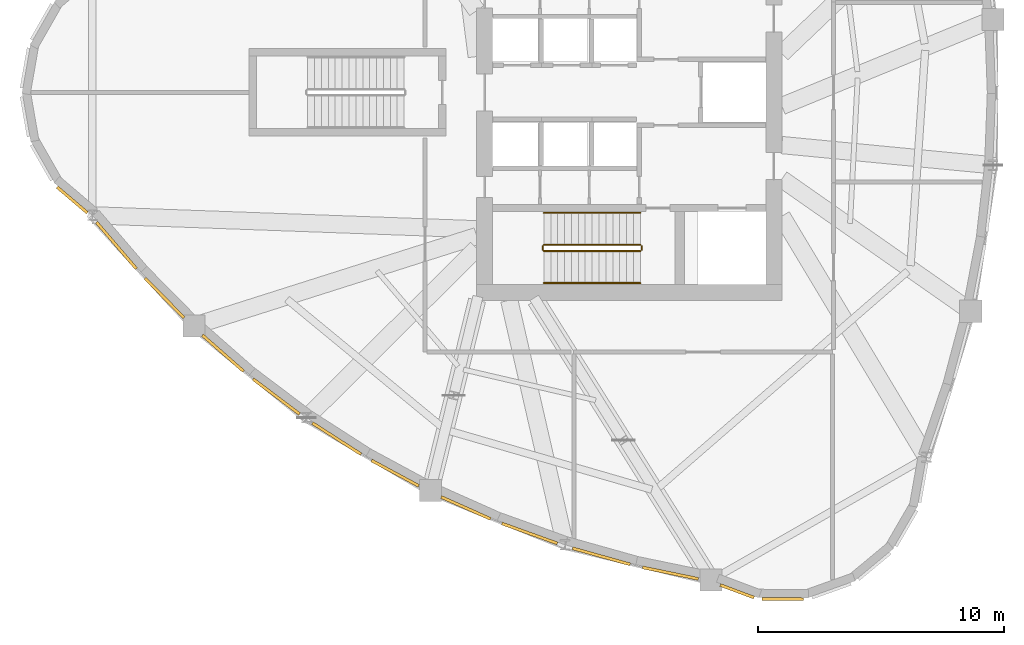
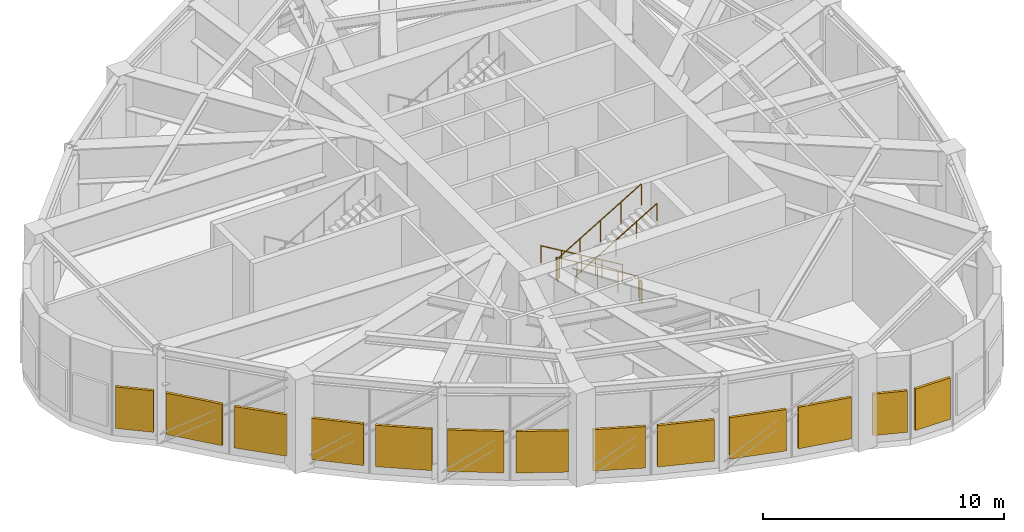
# One storey, part 7 of 9: 13 shading devices, 6 railings.
"""IFC4 building model written with IfcOpenShell, lengths in metres."""

from ifc_helpers import new_model, si_unit, direction, frame, origin, origin_2d, place, context, subcontext, project, spatial, rectangle, circle, extrude, source, transform, mapped, material, layer, layer_set, type_object, element, save


model = new_model("IFC4")

# Units and contexts
model_context = context("Model", 3, precision=1e-05, world=origin(), true_north=direction((0.0, 1.0)))
body_context = subcontext(model_context, "Body", "Model", "MODEL_VIEW")
ifc_project = project(units=[si_unit("LENGTHUNIT", "METRE"), si_unit("AREAUNIT", "SQUARE_METRE"), si_unit("VOLUMEUNIT", "CUBIC_METRE"), si_unit("PLANEANGLEUNIT", "RADIAN"), si_unit("MASSUNIT", "GRAM", prefix="KILO")], contexts=[model_context])

# Site, building, storey
site_placement = place(None, origin())
site = spatial("IfcSite", under=ifc_project, at=site_placement, CompositionType="ELEMENT")
building_placement = place(site_placement, origin())
building = spatial("IfcBuilding", under=site, at=building_placement, Name="Qafzar Sky-Pleat Residences", CompositionType="ELEMENT")
storey_placement = place(building_placement, frame((0.0, 0.0, 128.0)))
storey = spatial("IfcBuildingStorey", under=building, at=storey_placement, Name="L38", CompositionType="ELEMENT", Elevation=128.0)

# Shading devices
ifc_material_1 = material(Name="Anodised bronze aluminium acoustic louvre", Category="aluminium")
ifc_layer = layer(ifc_material_1, 0.1201171875)
ifc_layer_set = layer_set([ifc_layer], Name="Anodised bronze aluminium acoustic louvre")
shading_device_type = type_object("IfcShadingDeviceType", Name="SHD-LOUVRE-PLANT", PredefinedType="JALOUSIE", material=ifc_layer_set)
shared_shape_1 = source(origin(), body_context, "Body", "SweptSolid", [
    extrude(rectangle(XDim=1.61181640625, YDim=0.1201171875, at=origin_2d()), origin(), (0.0, 0.0, 1.0), 2.10009765625),
])
shading_device_1_placement = place(storey_placement, frame((7.7109375, 21.62841796875, 0.449951171875), z_axis=(0.0, 0.0, 1.0), x_axis=(0.761145221721, -0.648581491758, 0.0)))
element("IfcShadingDevice", 1, at=shading_device_1_placement, inside=storey, type_object=shading_device_type, Name="L38 Plant Acoustic Louvre 6", PredefinedType="JALOUSIE", context=body_context, shape_type="MappedRepresentation", body=[
    mapped(shared_shape_1, transform((0.0, 0.0, 0.0), x_axis=(1.0, 0.0, 0.0), y_axis=(0.0, 1.0, 0.0), z_axis=(0.0, 0.0, 1.0), scale=1.0)),
])
shared_shape_2 = source(origin(), body_context, "Body", "SweptSolid", [
    extrude(rectangle(XDim=2.482666015625, YDim=0.1201171875, at=origin_2d()), origin(), (0.0, 0.0, 1.0), 2.10009765625),
])
shading_device_2_placement = place(storey_placement, frame((9.509765625, 19.774658203125, 0.449951171875), z_axis=(0.0, 0.0, 1.0), x_axis=(0.650722374464, -0.75931573892, 0.0)))
element("IfcShadingDevice", 2, at=shading_device_2_placement, inside=storey, type_object=shading_device_type, Name="L38 Plant Acoustic Louvre 7", PredefinedType="JALOUSIE", context=body_context, shape_type="MappedRepresentation", body=[
    mapped(shared_shape_2, transform((0.0, 0.0, 0.0), x_axis=(1.0, 0.0, 0.0), y_axis=(0.0, 1.0, 0.0), z_axis=(0.0, 0.0, 1.0), scale=1.0)),
])
shared_shape_3 = source(origin(), body_context, "Body", "SweptSolid", [
    extrude(rectangle(XDim=2.26318359375, YDim=0.1201171875, at=origin_2d()), origin(), (0.0, 0.0, 1.0), 2.10009765625),
])
shading_device_3_placement = place(storey_placement, frame((11.46337890625, 17.64208984375, 0.449951171875), z_axis=(0.0, 0.0, 1.0), x_axis=(0.701891372787, -0.712284002914, 0.0)))
element("IfcShadingDevice", 3, at=shading_device_3_placement, inside=storey, type_object=shading_device_type, Name="L38 Plant Acoustic Louvre 8", PredefinedType="JALOUSIE", context=body_context, shape_type="MappedRepresentation", body=[
    mapped(shared_shape_3, transform((0.0, 0.0, 0.0), x_axis=(1.0, 0.0, 0.0), y_axis=(0.0, 1.0, 0.0), z_axis=(0.0, 0.0, 1.0), scale=1.0)),
])
shared_shape_4 = source(origin(), body_context, "Body", "SweptSolid", [
    extrude(rectangle(XDim=2.2236328125, YDim=0.1201171875, at=origin_2d()), origin(), (0.0, 0.0, 1.0), 2.10009765625),
])
shading_device_4_placement = place(storey_placement, frame((13.837646484375, 15.3994140625, 0.449951171875), z_axis=(0.0, 0.0, 1.0), x_axis=(0.751454581886, -0.659784822016, 0.0)))
element("IfcShadingDevice", 4, at=shading_device_4_placement, inside=storey, type_object=shading_device_type, Name="L38 Plant Acoustic Louvre 9", PredefinedType="JALOUSIE", context=body_context, shape_type="MappedRepresentation", body=[
    mapped(shared_shape_4, transform((0.0, 0.0, 0.0), x_axis=(1.0, 0.0, 0.0), y_axis=(0.0, 1.0, 0.0), z_axis=(0.0, 0.0, 1.0), scale=1.0)),
])
shared_shape_5 = source(origin(), body_context, "Body", "SweptSolid", [
    extrude(rectangle(XDim=2.364990234375, YDim=0.1201171875, at=origin_2d()), origin(), (0.0, 0.0, 1.0), 2.10009765625),
])
shading_device_5_placement = place(storey_placement, frame((16.00634765625, 13.637451171875, 0.449951171875), z_axis=(0.0, 0.0, 1.0), x_axis=(0.798349004967, -0.602195040056, 0.0)))
element("IfcShadingDevice", 5, at=shading_device_5_placement, inside=storey, type_object=shading_device_type, Name="L38 Plant Acoustic Louvre 10", PredefinedType="JALOUSIE", context=body_context, shape_type="MappedRepresentation", body=[
    mapped(shared_shape_5, transform((0.0, 0.0, 0.0), x_axis=(1.0, 0.0, 0.0), y_axis=(0.0, 1.0, 0.0), z_axis=(0.0, 0.0, 1.0), scale=1.0)),
])
shared_shape_6 = source(origin(), body_context, "Body", "SweptSolid", [
    extrude(rectangle(XDim=2.3515625, YDim=0.1201171875, at=origin_2d()), origin(), (0.0, 0.0, 1.0), 2.10009765625),
])
shading_device_6_placement = place(storey_placement, frame((18.45947265625, 11.927978515625, 0.449951171875), z_axis=(0.0, 0.0, 1.0), x_axis=(0.841488939552, -0.540274341989, 0.0)))
element("IfcShadingDevice", 6, at=shading_device_6_placement, inside=storey, type_object=shading_device_type, Name="L38 Plant Acoustic Louvre 11", PredefinedType="JALOUSIE", context=body_context, shape_type="MappedRepresentation", body=[
    mapped(shared_shape_6, transform((0.0, 0.0, 0.0), x_axis=(1.0, 0.0, 0.0), y_axis=(0.0, 1.0, 0.0), z_axis=(0.0, 0.0, 1.0), scale=1.0)),
])
shared_shape_7 = source(origin(), body_context, "Body", "SweptSolid", [
    extrude(rectangle(XDim=2.18359375, YDim=0.1201171875, at=origin_2d()), origin(), (0.0, 0.0, 1.0), 2.10009765625),
])
shading_device_7_placement = place(storey_placement, frame((20.835693359375, 10.5224609375, 0.449951171875), z_axis=(0.0, 0.0, 1.0), x_axis=(0.880071992899, -0.474840275582, 0.0)))
element("IfcShadingDevice", 7, at=shading_device_7_placement, inside=storey, type_object=shading_device_type, Name="L38 Plant Acoustic Louvre 12", PredefinedType="JALOUSIE", context=body_context, shape_type="MappedRepresentation", body=[
    mapped(shared_shape_7, transform((0.0, 0.0, 0.0), x_axis=(1.0, 0.0, 0.0), y_axis=(0.0, 1.0, 0.0), z_axis=(0.0, 0.0, 1.0), scale=1.0)),
])
shared_shape_8 = source(origin(), body_context, "Body", "SweptSolid", [
    extrude(rectangle(XDim=2.197021484375, YDim=0.1201171875, at=origin_2d()), origin(), (0.0, 0.0, 1.0), 2.10009765625),
])
shading_device_8_placement = place(storey_placement, frame((23.70703125, 9.11083984375, 0.449951171875), z_axis=(0.0, 0.0, 1.0), x_axis=(0.913398138827, -0.407067365417, 0.0)))
element("IfcShadingDevice", 8, at=shading_device_8_placement, inside=storey, type_object=shading_device_type, Name="L38 Plant Acoustic Louvre 13", PredefinedType="JALOUSIE", context=body_context, shape_type="MappedRepresentation", body=[
    mapped(shared_shape_8, transform((0.0, 0.0, 0.0), x_axis=(1.0, 0.0, 0.0), y_axis=(0.0, 1.0, 0.0), z_axis=(0.0, 0.0, 1.0), scale=1.0)),
])
shared_shape_9 = source(origin(), body_context, "Body", "SweptSolid", [
    extrude(rectangle(XDim=2.3916015625, YDim=0.1201171875, at=origin_2d()), origin(), (0.0, 0.0, 1.0), 2.10009765625),
])
shading_device_9_placement = place(storey_placement, frame((26.301513671875, 8.0732421875, 0.449951171875), z_axis=(0.0, 0.0, 1.0), x_axis=(0.94108552794, -0.338168640033, 0.0)))
element("IfcShadingDevice", 9, at=shading_device_9_placement, inside=storey, type_object=shading_device_type, Name="L38 Plant Acoustic Louvre 14", PredefinedType="JALOUSIE", context=body_context, shape_type="MappedRepresentation", body=[
    mapped(shared_shape_9, transform((0.0, 0.0, 0.0), x_axis=(1.0, 0.0, 0.0), y_axis=(0.0, 1.0, 0.0), z_axis=(0.0, 0.0, 1.0), scale=1.0)),
])
shared_shape_10 = source(origin(), body_context, "Body", "SweptSolid", [
    extrude(rectangle(XDim=2.43115234375, YDim=0.1201171875, at=origin_2d()), origin(), (0.0, 0.0, 1.0), 2.10009765625),
])
shading_device_10_placement = place(storey_placement, frame((29.21337890625, 7.14501953125, 0.449951171875), z_axis=(0.0, 0.0, 1.0), x_axis=(0.963036437446, -0.269371156865, 0.0)))
element("IfcShadingDevice", 10, at=shading_device_10_placement, inside=storey, type_object=shading_device_type, Name="L38 Plant Acoustic Louvre 15", PredefinedType="JALOUSIE", context=body_context, shape_type="MappedRepresentation", body=[
    mapped(shared_shape_10, transform((0.0, 0.0, 0.0), x_axis=(1.0, 0.0, 0.0), y_axis=(0.0, 1.0, 0.0), z_axis=(0.0, 0.0, 1.0), scale=1.0)),
])
shared_shape_11 = source(origin(), body_context, "Body", "SweptSolid", [
    extrude(rectangle(XDim=2.314697265625, YDim=0.1201171875, at=origin_2d()), origin(), (0.0, 0.0, 1.0), 2.10009765625),
])
shading_device_11_placement = place(storey_placement, frame((32.0234375, 6.460693359375, 0.449951171875), z_axis=(0.0, 0.0, 1.0), x_axis=(0.979418074611, -0.201842104442, 0.0)))
element("IfcShadingDevice", 11, at=shading_device_11_placement, inside=storey, type_object=shading_device_type, Name="L38 Plant Acoustic Louvre 16", PredefinedType="JALOUSIE", context=body_context, shape_type="MappedRepresentation", body=[
    mapped(shared_shape_11, transform((0.0, 0.0, 0.0), x_axis=(1.0, 0.0, 0.0), y_axis=(0.0, 1.0, 0.0), z_axis=(0.0, 0.0, 1.0), scale=1.0)),
])
shared_shape_12 = source(origin(), body_context, "Body", "SweptSolid", [
    extrude(rectangle(XDim=1.46484375, YDim=0.1201171875, at=origin_2d()), origin(), (0.0, 0.0, 1.0), 2.10009765625),
])
shading_device_12_placement = place(storey_placement, frame((34.73046875, 5.723876953125, 0.449951171875), z_axis=(0.0, 0.0, 1.0), x_axis=(0.936783999905, -0.349908184417, 0.0)))
element("IfcShadingDevice", 12, at=shading_device_12_placement, inside=storey, type_object=shading_device_type, Name="L38 Plant Acoustic Louvre 17", PredefinedType="JALOUSIE", context=body_context, shape_type="MappedRepresentation", body=[
    mapped(shared_shape_12, transform((0.0, 0.0, 0.0), x_axis=(1.0, 0.0, 0.0), y_axis=(0.0, 1.0, 0.0), z_axis=(0.0, 0.0, 1.0), scale=1.0)),
])
shared_shape_13 = source(origin(), body_context, "Body", "SweptSolid", [
    extrude(rectangle(XDim=1.67919921875, YDim=0.1201171875, at=origin_2d()), origin(), (0.0, 0.0, 1.0), 2.10009765625),
])
shading_device_13_placement = place(storey_placement, frame((36.5830078125, 5.406494140625, 0.449951171875), z_axis=(0.0, 0.0, 1.0), x_axis=(0.99997646822, -0.006860248279, 0.0)))
element("IfcShadingDevice", 13, at=shading_device_13_placement, inside=storey, type_object=shading_device_type, Name="L38 Plant Acoustic Louvre 18", PredefinedType="JALOUSIE", context=body_context, shape_type="MappedRepresentation", body=[
    mapped(shared_shape_13, transform((0.0, 0.0, 0.0), x_axis=(1.0, 0.0, 0.0), y_axis=(0.0, 1.0, 0.0), z_axis=(0.0, 0.0, 1.0), scale=1.0)),
])

# Railings
ifc_material_2 = material(Name="Painted Steel S355 stair guardrail", Category="steel")
railing_type_1 = type_object("IfcRailingType", Name="RAIL-STAIR-GUARD", PredefinedType="GUARDRAIL", material=ifc_material_2)
shared_shape_14 = source(origin(), body_context, "Body", "SweptSolid", [
    extrude(circle(Radius=0.02392578125, at=origin_2d()), frame((0.0, 0.0, 1.076171875), z_axis=(0.0, -1.0, 0.0), x_axis=(1.0, 0.0, 0.0)), (0.0, 0.0, 1.0), 0.14990234375),
    extrude(circle(Radius=0.02099609375, at=origin_2d()), origin(), (0.0, 0.0, 1.0), 1.052001953125),
    extrude(circle(Radius=0.02099609375, at=origin_2d()), frame((0.0, -0.14990234375, 0.0)), (0.0, 0.0, 1.0), 1.052001953125),
])
for number, where, name in (
    (14, (26.830078125, 19.75, 2.5), "L38 ST1 stair guard 2"),
    (15, (30.85009765625, 19.75, 0.0), "L38 ST1 stair guard 4"),
):
    element("IfcRailing", number, at=place(storey_placement, frame(where)), inside=storey, type_object=railing_type_1, Name=name, PredefinedType="GUARDRAIL", context=body_context, shape_type="MappedRepresentation", body=[
        mapped(shared_shape_14, transform((0.0, 0.0, 0.0), x_axis=(1.0, 0.0, 0.0), y_axis=(0.0, 1.0, 0.0), z_axis=(0.0, 0.0, 1.0), scale=1.0)),
    ])
shared_shape_15 = source(origin(), body_context, "Body", "SweptSolid", [
    extrude(circle(Radius=0.02392578125, at=origin_2d()), frame((0.0, 0.0, 1.076171875), z_axis=(-0.859310244771, 0.0, 0.511454693235), x_axis=(0.0, -1.0, 0.0)), (0.0, 0.0, 1.0), 4.56201171875),
    extrude(circle(Radius=0.02099609375, at=origin_2d()), origin(), (0.0, 0.0, 1.0), 1.052001953125),
    extrude(circle(Radius=0.02099609375, at=origin_2d()), frame((-0.97998046875, 0.0, 0.583251953125)), (0.0, 0.0, 1.0), 1.052001953125),
    extrude(circle(Radius=0.02099609375, at=origin_2d()), frame((-1.9599609375, 0.0, 1.16650390625)), (0.0, 0.0, 1.0), 1.052001953125),
    extrude(circle(Radius=0.02099609375, at=origin_2d()), frame((-2.940185546875, 0.0, 1.75)), (0.0, 0.0, 1.0), 1.052001953125),
    extrude(circle(Radius=0.02099609375, at=origin_2d()), frame((-3.920166015625, 0.0, 2.333251953125)), (0.0, 0.0, 1.0), 1.052001953125),
])
railing_1_placement = place(storey_placement, frame((30.800048828125, 19.800048828125, 0.166748046875)))
element("IfcRailing", 16, at=railing_1_placement, inside=storey, type_object=railing_type_1, Name="L38 ST1 stair guard 1", PredefinedType="GUARDRAIL", context=body_context, shape_type="MappedRepresentation", body=[
    mapped(shared_shape_15, transform((0.0, 0.0, 0.0), x_axis=(1.0, 0.0, 0.0), y_axis=(0.0, 1.0, 0.0), z_axis=(0.0, 0.0, 1.0), scale=1.0)),
])
shared_shape_16 = source(origin(), body_context, "Body", "SweptSolid", [
    extrude(circle(Radius=0.02392578125, at=origin_2d()), frame((0.0, 0.0, 1.076171875), z_axis=(0.859310244771, 0.0, 0.511454693235), x_axis=(0.0, 1.0, 0.0)), (0.0, 0.0, 1.0), 4.56201171875),
    extrude(circle(Radius=0.02099609375, at=origin_2d()), origin(), (0.0, 0.0, 1.0), 1.052001953125),
    extrude(circle(Radius=0.02099609375, at=origin_2d()), frame((0.97998046875, 0.0, 0.583251953125)), (0.0, 0.0, 1.0), 1.052001953125),
    extrude(circle(Radius=0.02099609375, at=origin_2d()), frame((1.9599609375, 0.0, 1.16650390625)), (0.0, 0.0, 1.0), 1.052001953125),
    extrude(circle(Radius=0.02099609375, at=origin_2d()), frame((2.940185546875, 0.0, 1.75)), (0.0, 0.0, 1.0), 1.052001953125),
    extrude(circle(Radius=0.02099609375, at=origin_2d()), frame((3.920166015625, 0.0, 2.333251953125)), (0.0, 0.0, 1.0), 1.052001953125),
])
railing_2_placement = place(storey_placement, frame((26.8798828125, 19.550048828125, 2.666748046875)))
element("IfcRailing", 17, at=railing_2_placement, inside=storey, type_object=railing_type_1, Name="L38 ST1 stair guard 3", PredefinedType="GUARDRAIL", context=body_context, shape_type="MappedRepresentation", body=[
    mapped(shared_shape_16, transform((0.0, 0.0, 0.0), x_axis=(1.0, 0.0, 0.0), y_axis=(0.0, 1.0, 0.0), z_axis=(0.0, 0.0, 1.0), scale=1.0)),
])
ifc_material_3 = material(Name="Brushed stainless steel handrail", Category="steel")
railing_type_2 = type_object("IfcRailingType", Name="RAIL-STAIR-HAND", PredefinedType="HANDRAIL", material=ifc_material_3)
shared_shape_17 = source(origin(), body_context, "Body", "SweptSolid", [
    extrude(circle(Radius=0.02392578125, at=origin_2d()), frame((0.0, 0.0, 0.8759765625), z_axis=(-0.859310244771, 0.0, 0.511454693235), x_axis=(0.0, -1.0, 0.0)), (0.0, 0.0, 1.0), 4.56201171875),
    extrude(circle(Radius=0.02099609375, at=origin_2d()), origin(), (0.0, 0.0, 1.0), 0.851806640625),
    extrude(circle(Radius=0.02099609375, at=origin_2d()), frame((-0.97998046875, 0.0, 0.583251953125)), (0.0, 0.0, 1.0), 0.851806640625),
    extrude(circle(Radius=0.02099609375, at=origin_2d()), frame((-1.9599609375, 0.0, 1.16650390625)), (0.0, 0.0, 1.0), 0.851806640625),
    extrude(circle(Radius=0.02099609375, at=origin_2d()), frame((-2.940185546875, 0.0, 1.75)), (0.0, 0.0, 1.0), 0.851806640625),
    extrude(circle(Radius=0.02099609375, at=origin_2d()), frame((-3.920166015625, 0.0, 2.333251953125)), (0.0, 0.0, 1.0), 0.851806640625),
])
railing_3_placement = place(storey_placement, frame((30.800048828125, 21.10009765625, 0.166748046875)))
element("IfcRailing", 18, at=railing_3_placement, inside=storey, type_object=railing_type_2, Name="L38 ST1 stair handrail 1", PredefinedType="HANDRAIL", context=body_context, shape_type="MappedRepresentation", body=[
    mapped(shared_shape_17, transform((0.0, 0.0, 0.0), x_axis=(1.0, 0.0, 0.0), y_axis=(0.0, 1.0, 0.0), z_axis=(0.0, 0.0, 1.0), scale=1.0)),
])
shared_shape_18 = source(origin(), body_context, "Body", "SweptSolid", [
    extrude(circle(Radius=0.02392578125, at=origin_2d()), frame((0.0, 0.0, 0.8759765625), z_axis=(0.859310244771, 0.0, 0.511454693235), x_axis=(0.0, 1.0, 0.0)), (0.0, 0.0, 1.0), 4.56201171875),
    extrude(circle(Radius=0.02099609375, at=origin_2d()), origin(), (0.0, 0.0, 1.0), 0.851806640625),
    extrude(circle(Radius=0.02099609375, at=origin_2d()), frame((0.97998046875, 0.0, 0.583251953125)), (0.0, 0.0, 1.0), 0.851806640625),
    extrude(circle(Radius=0.02099609375, at=origin_2d()), frame((1.9599609375, 0.0, 1.16650390625)), (0.0, 0.0, 1.0), 0.851806640625),
    extrude(circle(Radius=0.02099609375, at=origin_2d()), frame((2.940185546875, 0.0, 1.75)), (0.0, 0.0, 1.0), 0.851806640625),
    extrude(circle(Radius=0.02099609375, at=origin_2d()), frame((3.920166015625, 0.0, 2.333251953125)), (0.0, 0.0, 1.0), 0.851806640625),
])
railing_4_placement = place(storey_placement, frame((26.8798828125, 18.25, 2.666748046875)))
element("IfcRailing", 19, at=railing_4_placement, inside=storey, type_object=railing_type_2, Name="L38 ST1 stair handrail 2", PredefinedType="HANDRAIL", context=body_context, shape_type="MappedRepresentation", body=[
    mapped(shared_shape_18, transform((0.0, 0.0, 0.0), x_axis=(1.0, 0.0, 0.0), y_axis=(0.0, 1.0, 0.0), z_axis=(0.0, 0.0, 1.0), scale=1.0)),
])

save(model, "model.ifc")
